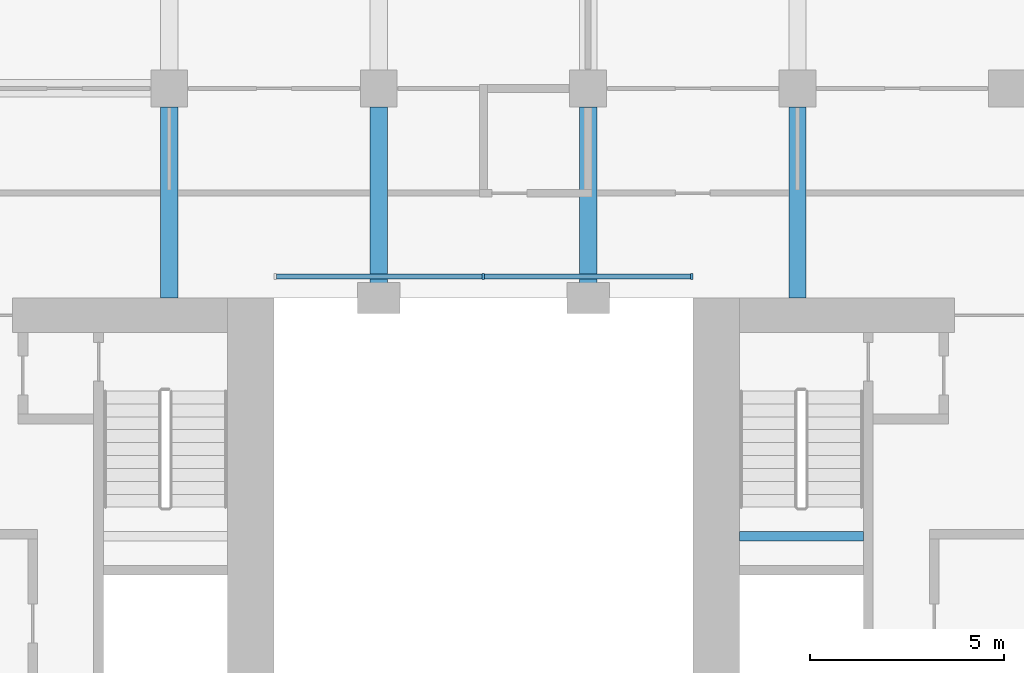
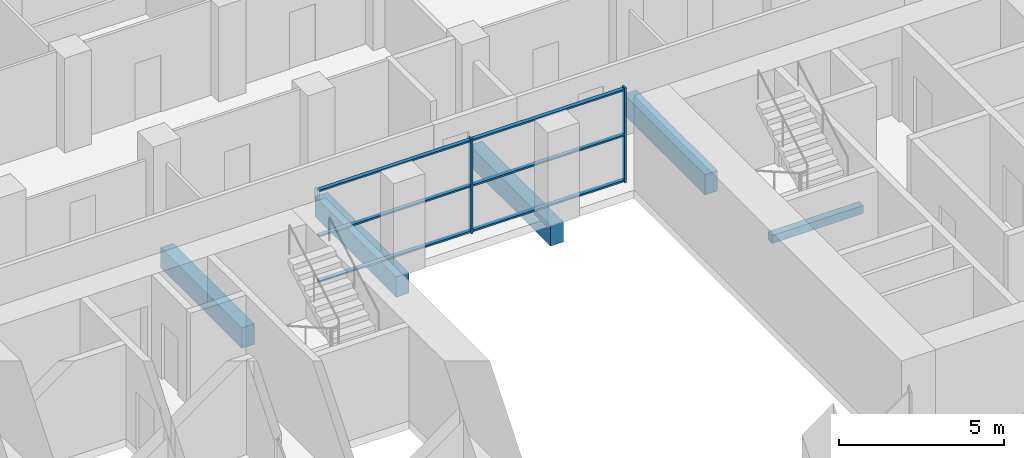
# One storey, part 4 of 13: 8 members, 5 beams, 1 element without a shape of its own.
"""IFC4 building model written with IfcOpenShell, lengths in metres."""

from ifc_helpers import new_model, si_unit, direction, frame, origin, origin_2d, place, context, subcontext, project, spatial, rectangle, extrude, material, material_profile, profile_set, type_object, element, aggregate, save


model = new_model("IFC4")

# Units and contexts
model_context = context("Model", 3, precision=1e-05, world=origin(), true_north=direction((0.0, 1.0)))
body_context = subcontext(model_context, "Body", "Model", "MODEL_VIEW")
ifc_project = project(units=[si_unit("LENGTHUNIT", "METRE"), si_unit("AREAUNIT", "SQUARE_METRE"), si_unit("VOLUMEUNIT", "CUBIC_METRE"), si_unit("PLANEANGLEUNIT", "RADIAN"), si_unit("MASSUNIT", "GRAM", prefix="KILO")], contexts=[model_context])

# Site, building, storey
site_placement = place(None, origin())
site = spatial("IfcSite", under=ifc_project, at=site_placement, CompositionType="ELEMENT")
building_placement = place(site_placement, origin())
building = spatial("IfcBuilding", under=site, at=building_placement, Name="Tabaq Tower and Sports Hall", CompositionType="ELEMENT")
storey_placement = place(building_placement, frame((0.0, 0.0, 114.39990234375)))
storey = spatial("IfcBuildingStorey", under=building, at=storey_placement, Name="L27", CompositionType="ELEMENT", Elevation=114.39990234375)

# Curtain wall, members
ifc_material_1 = material(Name="Aluminium alloy 6063-T6 framed glazing", Category="aluminium")
curtain_wall_type = type_object("IfcCurtainWallType", Name="CW1 curtain wall", PredefinedType="USERDEFINED", material=ifc_material_1)
curtain_wall_placement = place(storey_placement, origin())
curtain_wall = element("IfcCurtainWall", 1, at=curtain_wall_placement, inside=storey, type_object=curtain_wall_type, Name="Atrium glazing L27 N", ObjectType="ATRIUM ENCLOSURE", PredefinedType="USERDEFINED")
ifc_material_2 = material(Name="Aluminium alloy 6063-T6", Category="aluminium")
ifc_material_profile_1 = material_profile(ifc_material_2, rectangle(XDim=0.159912109375, YDim=0.06005859375, at=origin_2d()), Name="MULLION 160x60")
ifc_profile_set_1 = profile_set([ifc_material_profile_1], Name="Aluminium alloy 6063-T6")
member_type_1 = type_object("IfcMemberType", Name="CW1 mullion 160x60", PredefinedType="MULLION", material=ifc_profile_set_1)
member_1_placement = place(storey_placement, frame((24.300048828125, 32.949951171875, 0.0), z_axis=(0.0, 0.0, 1.0), x_axis=(0.0, 1.0, 0.0)))
member_1 = element("IfcMember", 2, at=member_1_placement, type_object=member_type_1, Name="CW1 mullion 2", PredefinedType="MULLION", context=body_context, shape_type="SweptSolid", body=[
    extrude(rectangle(XDim=0.159912109375, YDim=0.06005859375, at=origin_2d()), origin(), (0.0, 0.0, 1.0), 3.5),
])
member_2_placement = place(storey_placement, frame((29.669921875, 32.949951171875, 0.0), z_axis=(0.0, 0.0, 1.0), x_axis=(0.0, 1.0, 0.0)))
member_2 = element("IfcMember", 3, at=member_2_placement, type_object=member_type_1, Name="CW1 mullion 3", PredefinedType="MULLION", context=body_context, shape_type="SweptSolid", body=[
    extrude(rectangle(XDim=0.159912109375, YDim=0.06005859375, at=origin_2d()), origin(), (0.0, 0.0, 1.0), 3.5),
])
ifc_material_3 = material(Name="Aluminium alloy 6063-T6", Category="aluminium")
ifc_material_profile_2 = material_profile(ifc_material_3, rectangle(XDim=0.139892578125, YDim=0.06005859375, at=origin_2d()), Name="TRANSOM 140x60")
ifc_profile_set_2 = profile_set([ifc_material_profile_2], Name="Aluminium alloy 6063-T6")
member_type_2 = type_object("IfcMemberType", Name="CW1 transom 140x60", PredefinedType="USERDEFINED", material=ifc_profile_set_2)
member_3_placement = place(storey_placement, frame((18.9599609375, 32.949951171875, 0.070068359375), z_axis=(1.0, 0.0, 0.0), x_axis=(0.0, 1.0, 0.0)))
member_3 = element("IfcMember", 4, at=member_3_placement, type_object=member_type_2, Name="CW1 transom 1.1", ObjectType="TRANSOM", PredefinedType="USERDEFINED", context=body_context, shape_type="SweptSolid", body=[
    extrude(rectangle(XDim=0.139892578125, YDim=0.06005859375, at=origin_2d()), origin(), (0.0, 0.0, 1.0), 5.31005859375),
])
member_4_placement = place(storey_placement, frame((18.9599609375, 32.949951171875, 1.75), z_axis=(1.0, 0.0, 0.0), x_axis=(0.0, 1.0, 0.0)))
member_4 = element("IfcMember", 5, at=member_4_placement, type_object=member_type_2, Name="CW1 transom 1.2", ObjectType="TRANSOM", PredefinedType="USERDEFINED", context=body_context, shape_type="SweptSolid", body=[
    extrude(rectangle(XDim=0.139892578125, YDim=0.06005859375, at=origin_2d()), origin(), (0.0, 0.0, 1.0), 5.31005859375),
])
member_5_placement = place(storey_placement, frame((18.9599609375, 32.949951171875, 3.43017578125), z_axis=(1.0, 0.0, 0.0), x_axis=(0.0, 1.0, 0.0)))
member_5 = element("IfcMember", 6, at=member_5_placement, type_object=member_type_2, Name="CW1 transom 1.3", ObjectType="TRANSOM", PredefinedType="USERDEFINED", context=body_context, shape_type="SweptSolid", body=[
    extrude(rectangle(XDim=0.139892578125, YDim=0.06005859375, at=origin_2d()), origin(), (0.0, 0.0, 1.0), 5.31005859375),
])
member_6_placement = place(storey_placement, frame((24.330078125, 32.949951171875, 0.070068359375), z_axis=(1.0, 0.0, 0.0), x_axis=(0.0, 1.0, 0.0)))
member_6 = element("IfcMember", 7, at=member_6_placement, type_object=member_type_2, Name="CW1 transom 2.1", ObjectType="TRANSOM", PredefinedType="USERDEFINED", context=body_context, shape_type="SweptSolid", body=[
    extrude(rectangle(XDim=0.139892578125, YDim=0.06005859375, at=origin_2d()), origin(), (0.0, 0.0, 1.0), 5.309814453125),
])
member_7_placement = place(storey_placement, frame((24.330078125, 32.949951171875, 1.75), z_axis=(1.0, 0.0, 0.0), x_axis=(0.0, 1.0, 0.0)))
member_7 = element("IfcMember", 8, at=member_7_placement, type_object=member_type_2, Name="CW1 transom 2.2", ObjectType="TRANSOM", PredefinedType="USERDEFINED", context=body_context, shape_type="SweptSolid", body=[
    extrude(rectangle(XDim=0.139892578125, YDim=0.06005859375, at=origin_2d()), origin(), (0.0, 0.0, 1.0), 5.309814453125),
])
member_8_placement = place(storey_placement, frame((24.330078125, 32.949951171875, 3.43017578125), z_axis=(1.0, 0.0, 0.0), x_axis=(0.0, 1.0, 0.0)))
member_8 = element("IfcMember", 9, at=member_8_placement, type_object=member_type_2, Name="CW1 transom 2.3", ObjectType="TRANSOM", PredefinedType="USERDEFINED", context=body_context, shape_type="SweptSolid", body=[
    extrude(rectangle(XDim=0.139892578125, YDim=0.06005859375, at=origin_2d()), origin(), (0.0, 0.0, 1.0), 5.309814453125),
])
aggregate(curtain_wall, [member_1, member_2, member_3, member_4, member_5, member_6, member_7, member_8])

# Beams
ifc_material_4 = material(Name="Concrete C40/50", Category="concrete")
ifc_material_profile_3 = material_profile(ifc_material_4, rectangle(XDim=0.449951171875, YDim=0.75, at=origin_2d()), Name="CB 450x750")
ifc_profile_set_3 = profile_set([ifc_material_profile_3], Name="Concrete C40/50")
beam_type_1 = type_object("IfcBeamType", Name="PT CANTILEVER BEAM CB 450x750 C40/50", PredefinedType="BEAM", material=ifc_profile_set_3)
for number, where, z_axis, x_axis, name in (
    (10, (16.199951171875, 37.324951171875, -0.6748046875), (0.0, -1.0, 0.0), (1.0, 0.0, 0.0), "Cantilever Beam L27 N3 span 3"),
    (11, (21.60009765625, 37.324951171875, -0.6748046875), (0.0, -1.0, 0.0), (1.0, 0.0, 0.0), "Cantilever Beam L27 N4 span 3"),
    (12, (27.0, 37.324951171875, -0.6748046875), (0.0, -1.0, 0.0), (1.0, 0.0, 0.0), "Cantilever Beam L27 N5 span 3"),
    (13, (32.39990234375, 37.324951171875, -0.6748046875), (0.0, -1.0, 0.0), (1.0, 0.0, 0.0), "Cantilever Beam L27 N6 span 3"),
):
    element("IfcBeam", number, at=place(storey_placement, frame(where, z_axis=z_axis, x_axis=x_axis)), inside=storey, type_object=beam_type_1, Name=name, PredefinedType="BEAM", context=body_context, shape_type="SweptSolid", body=[
        extrude(rectangle(XDim=0.449951171875, YDim=0.75, at=origin_2d()), origin(), (0.0, 0.0, 1.0), 4.925048828125),
    ])
ifc_material_5 = material(Name="Concrete C40/50", Category="concrete")
ifc_material_profile_4 = material_profile(ifc_material_5, rectangle(XDim=0.25, YDim=0.300048828125, at=origin_2d()), Name="RC 250x300")
ifc_profile_set_4 = profile_set([ifc_material_profile_4], Name="Concrete C40/50")
beam_type_2 = type_object("IfcBeamType", Name="Stair landing beam 250x300", PredefinedType="BEAM", material=ifc_profile_set_4)
beam_placement = place(storey_placement, frame((30.89990234375, 26.25, 1.550048828125), z_axis=(1.0, 0.0, 0.0), x_axis=(0.0, 1.0, 0.0)))
element("IfcBeam", 14, at=beam_placement, inside=storey, type_object=beam_type_2, Name="L27 ST4 landing beam 1", PredefinedType="BEAM", context=body_context, shape_type="SweptSolid", body=[
    extrude(rectangle(XDim=0.25, YDim=0.300048828125, at=origin_2d()), origin(), (0.0, 0.0, 1.0), 3.2001953125),
])

save(model, "model.ifc")
